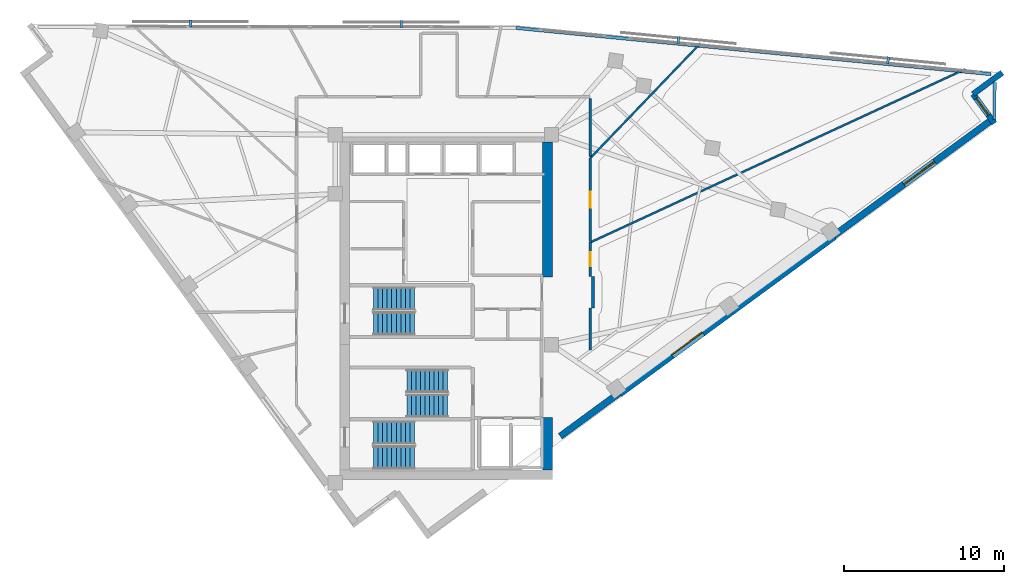
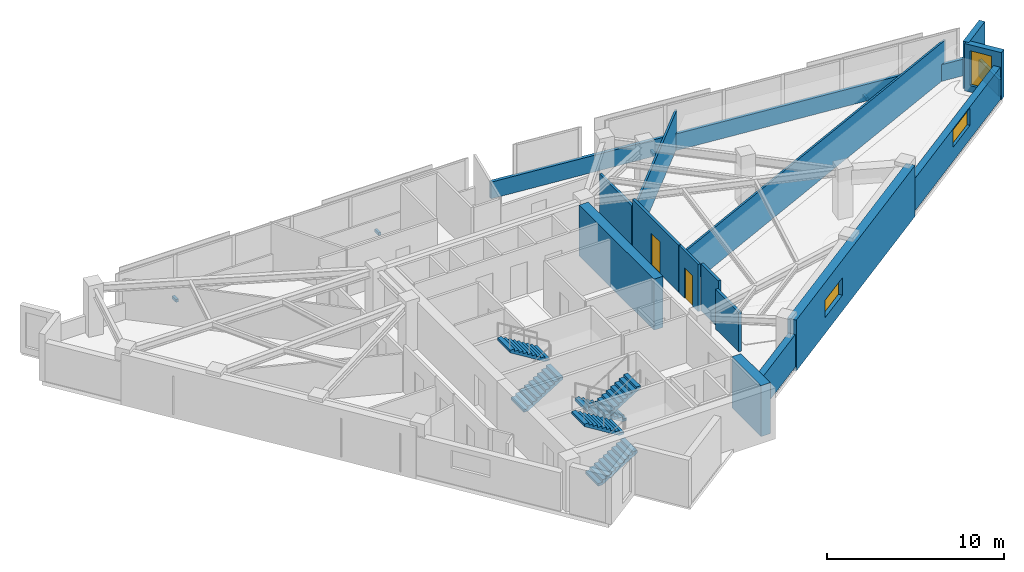
# One storey, part 11 of 13: 16 walls, 6 stair flights, 4 discrete accessories, 3 windows, 2 doors, 5 openings, 3 elements without a shape of their own.
"""IFC4 building model written with IfcOpenShell, lengths in metres."""

from ifc_helpers import new_model, si_unit, direction, frame, frame_2d, origin, origin_2d, place, context, subcontext, project, spatial, polyline, rectangle, outline, extrude, material, layer, layer_set, type_object, element, fill, aggregate, save


model = new_model("IFC4")

# Units and contexts
model_context = context("Model", 3, precision=1e-05, world=origin(), true_north=direction((0.0, 1.0)))
body_context = subcontext(model_context, "Body", "Model", "MODEL_VIEW")
ifc_project = project(units=[si_unit("LENGTHUNIT", "METRE"), si_unit("AREAUNIT", "SQUARE_METRE"), si_unit("VOLUMEUNIT", "CUBIC_METRE"), si_unit("PLANEANGLEUNIT", "RADIAN"), si_unit("MASSUNIT", "GRAM", prefix="KILO")], contexts=[model_context])

# Site, building, storey
site_placement = place(None, origin())
site = spatial("IfcSite", under=ifc_project, at=site_placement, CompositionType="ELEMENT")
building_placement = place(site_placement, origin())
building = spatial("IfcBuilding", under=site, at=building_placement, Name="Narakoshi Arena Tower", CompositionType="ELEMENT")
storey_placement = place(building_placement, frame((0.0, 0.0, 239.6201171875)))
storey = spatial("IfcBuildingStorey", under=building, at=storey_placement, Name="L65", CompositionType="ELEMENT", Elevation=239.6201171875)

# Walls
ifc_material_1 = material(Name="Concrete C50/60", Category="concrete")
ifc_layer_1 = layer(ifc_material_1, 0.60009765625)
ifc_layer_set_1 = layer_set([ifc_layer_1], Name="Concrete C50/60")
wall_type_1 = type_object("IfcWallType", Name="WL-CORE-600", PredefinedType="SHEAR", material=ifc_layer_set_1)
wall_1_placement = place(storey_placement, frame((85.300048828125, 35.5, -0.260009765625), z_axis=(0.0, 0.0, 1.0), x_axis=(0.0, 1.0, 0.0)))
element("IfcWall", 1, at=wall_1_placement, inside=storey, type_object=wall_type_1, Name="L65 Central Core Shear Wall CW-APX-E", PredefinedType="SHEAR", context=body_context, shape_type="SweptSolid", body=[
    extrude(rectangle(XDim=3.300048828125, YDim=0.60009765625, at=frame_2d((1.64990234375, 0.0))), origin(), (0.0, 0.0, 1.0), 3.519775390625),
])
wall_2_placement = place(storey_placement, frame((85.300048828125, 47.60009765625, -0.260009765625), z_axis=(0.0, 0.0, 1.0), x_axis=(0.0, 1.0, 0.0)))
element("IfcWall", 2, at=wall_2_placement, inside=storey, type_object=wall_type_1, Name="L65 Main Core Shear Wall CW-MN-E", PredefinedType="SHEAR", context=body_context, shape_type="SweptSolid", body=[
    extrude(rectangle(XDim=8.449951171875, YDim=0.60009765625, at=frame_2d((4.22509765625, 0.0))), origin(), (0.0, 0.0, 1.0), 3.519775390625),
])
ifc_material_2 = material(Name="Gypsum plasterboard fire-rated partition")
ifc_layer_2 = layer(ifc_material_2, 0.1650390625)
ifc_layer_set_2 = layer_set([ifc_layer_2], Name="Gypsum plasterboard fire-rated partition")
wall_type_2 = type_object("IfcWallType", Name="WL-CORR-165", PredefinedType="PARTITIONING", material=ifc_layer_set_2)
wall_3_placement = place(storey_placement, frame((87.97216796875, 43.02880859375, 0.0), z_axis=(0.0, 0.0, 1.0), x_axis=(0.0, 1.0, 0.0)))
element("IfcWall", 3, at=wall_3_placement, inside=storey, type_object=wall_type_2, Name="L65 Corridor Partition 03-1", PredefinedType="PARTITIONING", context=body_context, shape_type="SweptSolid", body=[
    extrude(rectangle(XDim=2.62109375, YDim=0.1650390625, at=frame_2d((1.310546875, 0.0))), origin(), (0.0, 0.0, 1.0), 2.744873046875),
])

# Wall, opening, door
wall_4_placement = place(storey_placement, frame((87.97216796875, 47.6201171875, 0.0), z_axis=(0.0, 0.0, 1.0), x_axis=(0.0, 1.0, 0.0)))
wall_4 = element("IfcWall", 4, at=wall_4_placement, inside=storey, type_object=wall_type_2, Name="L65 Corridor Partition 03-2", PredefinedType="PARTITIONING", context=body_context, shape_type="SweptSolid", body=[
    extrude(rectangle(XDim=2.165283203125, YDim=0.1650390625, at=frame_2d((1.08251953125, 0.0))), origin(), (0.0, 0.0, 1.0), 3.259765625),
])
opening_1_placement = place(wall_4_placement, frame((0.6328125, 0.0, 0.0)))
opening_1 = element("IfcOpeningElement", 5, at=opening_1_placement, cuts=wall_4, Name="Opening D-08", PredefinedType="OPENING", context=body_context, shape_type="SweptSolid", body=[
    extrude(rectangle(XDim=0.89990234375, YDim=2.10009765625, at=frame_2d((0.449951171875, 1.050048828125))), frame((0.0, 0.092529296875, 0.0), z_axis=(0.0, -1.0, 0.0), x_axis=(1.0, 0.0, 0.0)), (0.0, 0.0, 1.0), 0.18505859375),
])
ifc_material_3 = material(Name="Moisture-resistant laminate timber", Category="wood")
door_type_1 = type_object("IfcDoorType", Name="DR-WC-900", OperationType="NOTDEFINED", PredefinedType="DOOR", material=ifc_material_3)
door_1_placement = place(opening_1_placement, frame((0.89990234375, 0.0, 0.0), z_axis=(0.0, 0.0, 1.0), x_axis=(-1.0, 0.0, 0.0)))
door_1 = element("IfcDoor", 6, at=door_1_placement, inside=storey, type_object=door_type_1, Name="DR-L65-018", OperationType="SINGLE_SWING_LEFT", OverallHeight=2.10009765625, OverallWidth=0.89990234375, PredefinedType="DOOR", context=body_context, shape_type="SweptSolid", body=[
    extrude(rectangle(XDim=0.89990234375, YDim=2.10009765625, at=frame_2d((0.449951171875, 1.050048828125))), frame((0.0, 0.02490234375, 0.0), z_axis=(0.0, -1.0, 0.0), x_axis=(1.0, 0.0, 0.0)), (0.0, 0.0, 1.0), 0.050048828125),
])
fill(opening_1, door_1)

# Wall
wall_5_placement = place(storey_placement, frame((88.14990234375, 45.64990234375, 0.0), z_axis=(0.0, 0.0, 1.0), x_axis=(0.0, 1.0, 0.0)))
element("IfcWall", 7, at=wall_5_placement, inside=storey, type_object=wall_type_2, Name="L65 Corridor Partition 03-3", PredefinedType="PARTITIONING", context=body_context, shape_type="SweptSolid", body=[
    extrude(rectangle(XDim=1.97021484375, YDim=0.1650390625, at=frame_2d((0.985107421875, 0.0))), origin(), (0.0, 0.0, 1.0), 3.259765625),
])

# Wall, opening, door
wall_6_placement = place(storey_placement, frame((87.97216796875, 49.811767578125, 0.0), z_axis=(0.0, 0.0, 1.0), x_axis=(0.0, 1.0, 0.0)))
wall_6 = element("IfcWall", 8, at=wall_6_placement, inside=storey, type_object=wall_type_2, Name="L65 Corridor Partition 04-1", PredefinedType="PARTITIONING", context=body_context, shape_type="SweptSolid", body=[
    extrude(rectangle(XDim=5.243408203125, YDim=0.1650390625, at=frame_2d((2.62158203125, 0.0))), origin(), (0.0, 0.0, 1.0), 3.259765625),
])
opening_2_placement = place(wall_6_placement, frame((2.12158203125, 0.0, 0.0)))
opening_2 = element("IfcOpeningElement", 9, at=opening_2_placement, cuts=wall_6, Name="Opening D-06", PredefinedType="OPENING", context=body_context, shape_type="SweptSolid", body=[
    extrude(rectangle(XDim=1.0, YDim=2.199951171875, at=frame_2d((0.5, 1.10009765625))), frame((0.0, 0.092529296875, 0.0), z_axis=(0.0, -1.0, 0.0), x_axis=(1.0, 0.0, 0.0)), (0.0, 0.0, 1.0), 0.18505859375),
])
ifc_material_4 = material(Name="Stained oak solid-core timber", Category="wood")
door_type_2 = type_object("IfcDoorType", Name="DR-OFF-1000", OperationType="NOTDEFINED", PredefinedType="DOOR", material=ifc_material_4)
door_2_placement = place(opening_2_placement, frame((1.0, 0.0, 0.0), z_axis=(0.0, 0.0, 1.0), x_axis=(-1.0, 0.0, 0.0)))
door_2 = element("IfcDoor", 10, at=door_2_placement, inside=storey, type_object=door_type_2, Name="DR-L65-019", OperationType="SINGLE_SWING_RIGHT", OverallHeight=2.199951171875, OverallWidth=1.0, PredefinedType="DOOR", context=body_context, shape_type="SweptSolid", body=[
    extrude(rectangle(XDim=1.0, YDim=2.199951171875, at=frame_2d((0.5, 1.10009765625))), frame((0.0, 0.02490234375, 0.0), z_axis=(0.0, -1.0, 0.0), x_axis=(1.0, 0.0, 0.0)), (0.0, 0.0, 1.0), 0.050048828125),
])
fill(opening_2, door_2)

# Wall
wall_7_placement = place(storey_placement, frame((87.97216796875, 55.137451171875, 0.0), z_axis=(0.0, 0.0, 1.0), x_axis=(0.0, 1.0, 0.0)))
element("IfcWall", 11, at=wall_7_placement, inside=storey, type_object=wall_type_2, Name="L65 Corridor Partition 05-2", PredefinedType="PARTITIONING", context=body_context, shape_type="SweptSolid", body=[
    extrude(rectangle(XDim=3.64013671875, YDim=0.1650390625, at=frame_2d((1.820068359375, 0.0))), origin(), (0.0, 0.0, 1.0), 2.744873046875),
])

# Wall, opening, window
ifc_layer_3 = layer(ifc_material_1, 0.550048828125)
ifc_layer_set_3 = layer_set([ifc_layer_3], Name="Concrete C50/60")
wall_type_3 = type_object("IfcWallType", Name="WL-LEG-550", PredefinedType="SHEAR", material=ifc_layer_set_3)
wall_8_placement = place(storey_placement, frame((89.79052734375, 40.31640625, -0.260009765625), z_axis=(0.0, 0.0, 1.0), x_axis=(0.806449218078, 0.591303355868, 0.0)))
wall_8 = element("IfcWall", 12, at=wall_8_placement, inside=storey, type_object=wall_type_3, Name="L65 Architectural Concrete Structural Wall LEGA-3", PredefinedType="SHEAR", context=body_context, shape_type="SweptSolid", body=[
    extrude(rectangle(XDim=16.673095703125, YDim=0.550048828125, at=frame_2d((8.33642578125, 0.0))), origin(), (0.0, 0.0, 1.0), 3.519775390625),
])
opening_3_placement = place(wall_8_placement, frame((4.0537109375, 0.0, 1.10009765625)))
opening_3 = element("IfcOpeningElement", 13, at=opening_3_placement, cuts=wall_8, Name="Opening WN-04", PredefinedType="OPENING", context=body_context, shape_type="SweptSolid", body=[
    extrude(rectangle(XDim=2.39990234375, YDim=1.199951171875, at=frame_2d((1.199951171875, 0.60009765625))), frame((0.0, 0.284912109375, 0.0), z_axis=(0.0, -1.0, 0.0), x_axis=(1.0, 0.0, 0.0)), (0.0, 0.0, 1.0), 0.570068359375),
])
ifc_material_5 = material(Name="Bronze-tinted low-E laminated glass", Category="glass")
window_type_1 = type_object("IfcWindowType", Name="WIN-SLT-24x12", PartitioningType="SINGLE_PANEL", PredefinedType="WINDOW", material=ifc_material_5)
window_1_placement = place(opening_3_placement, origin())
window_1 = element("IfcWindow", 14, at=window_1_placement, inside=storey, type_object=window_type_1, Name="L65 LEGA3 Horizontal Slot Window 1", OverallHeight=1.199951171875, OverallWidth=2.39990234375, PartitioningType="SINGLE_PANEL", PredefinedType="WINDOW", context=body_context, shape_type="SweptSolid", body=[
    extrude(rectangle(XDim=2.39990234375, YDim=1.199951171875, at=frame_2d((1.199951171875, 0.60009765625))), frame((0.0, 0.030029296875, 0.0), z_axis=(0.0, -1.0, 0.0), x_axis=(1.0, 0.0, 0.0)), (0.0, 0.0, 1.0), 0.06005859375),
])
fill(opening_3, window_1)

# Walls
ifc_material_6 = material(Name="Precast concrete C45/55", Category="concrete")
ifc_layer_4 = layer(ifc_material_6, 0.25)
ifc_layer_set_4 = layer_set([ifc_layer_4], Name="Precast concrete C45/55")
wall_type_4 = type_object("IfcWallType", Name="WL-PARA-250", PredefinedType="PARAPET", material=ifc_layer_set_4)
wall_9_placement = place(storey_placement, frame((113.307861328125, 57.468017578125, 0.0), z_axis=(0.0, 0.0, 1.0), x_axis=(0.004415432147, 0.999990251932, 0.0)))
element("IfcWall", 15, at=wall_9_placement, inside=storey, type_object=wall_type_4, Name="L65 Architectural Setback Ledge Parapet", PredefinedType="PARAPET", context=body_context, shape_type="SweptSolid", body=[
    extrude(rectangle(XDim=2.322265625, YDim=0.199951171875, at=frame_2d((1.1611328125, 0.0))), origin(), (0.0, 0.0, 1.0), 1.14990234375),
])
wall_10_placement = place(storey_placement, frame((113.093505859375, 60.296630859375, 0.0), z_axis=(0.0, 0.0, 1.0), x_axis=(-0.995299069493, 0.096849172769, 0.0)))
element("IfcWall", 16, at=wall_10_placement, inside=storey, type_object=wall_type_4, Name="L65 Hypotenuse Sill Upstand Parapet 1-01", PredefinedType="PARAPET", context=body_context, shape_type="SweptSolid", body=[
    extrude(rectangle(XDim=29.917236328125, YDim=0.199951171875, at=frame_2d((14.95849609375, 0.0))), origin(), (0.0, 0.0, 1.0), 1.14990234375),
])
ifc_layer_5 = layer(ifc_material_2, 0.125)
ifc_layer_set_5 = layer_set([ifc_layer_5], Name="Gypsum plasterboard fire-rated partition")
wall_type_5 = type_object("IfcWallType", Name="WL-PART-125", PredefinedType="PARTITIONING", material=ifc_layer_set_5)
wall_11_placement = place(storey_placement, frame((88.044921875, 49.785400390625, 0.0), z_axis=(0.0, 0.0, 1.0), x_axis=(0.907758876108, 0.419492339438, 0.0)))
element("IfcWall", 17, at=wall_11_placement, inside=storey, type_object=wall_type_5, Name="L65 Inter-Room Partition 03-04", PredefinedType="PARTITIONING", context=body_context, shape_type="SweptSolid", body=[
    extrude(rectangle(XDim=25.814697265625, YDim=0.125, at=frame_2d((12.9072265625, 0.0))), origin(), (0.0, 0.0, 1.0), 2.644775390625),
])
wall_12_placement = place(storey_placement, frame((87.99658203125, 55.05517578125, 0.0), z_axis=(0.0, 0.0, 1.0), x_axis=(0.692409668249, 0.721504574702, 0.0)))
element("IfcWall", 18, at=wall_12_placement, inside=storey, type_object=wall_type_5, Name="L65 Inter-Room Partition 04-05", PredefinedType="PARTITIONING", context=body_context, shape_type="SweptSolid", body=[
    extrude(rectangle(XDim=9.943603515625, YDim=0.125, at=frame_2d((4.9716796875, 0.0))), origin(), (0.0, 0.0, 1.0), 2.644775390625),
])
ifc_layer_6 = layer(ifc_material_6, 0.419921875)
ifc_layer_set_6 = layer_set([ifc_layer_6], Name="Precast concrete C45/55")
wall_type_6 = type_object("IfcWallType", Name="WL-POD-420", PredefinedType="SOLIDWALL", material=ifc_layer_set_6)
wall_13_placement = place(storey_placement, frame((86.10009765625, 37.6103515625, 0.0), z_axis=(0.0, 0.0, 1.0), x_axis=(0.806432132361, 0.591326657521, 0.0)))
element("IfcWall", 19, at=wall_13_placement, inside=storey, type_object=wall_type_6, Name="L65 Architectural Concrete Facade Wall LEGA-2", PredefinedType="SOLIDWALL", context=body_context, shape_type="SweptSolid", body=[
    extrude(rectangle(XDim=4.576171875, YDim=0.419921875, at=frame_2d((2.2880859375, 0.0))), origin(), (0.0, 0.0, 1.0), 2.244873046875),
])

# Wall, opening, window
wall_14_placement = place(storey_placement, frame((103.236572265625, 50.17529296875, 0.0), z_axis=(0.0, 0.0, 1.0), x_axis=(0.80643721533, 0.591319725471, 0.0)))
wall_14 = element("IfcWall", 20, at=wall_14_placement, inside=storey, type_object=wall_type_6, Name="L65 Architectural Concrete Facade Wall LEGA-4", PredefinedType="SOLIDWALL", context=body_context, shape_type="SweptSolid", body=[
    extrude(rectangle(XDim=12.285400390625, YDim=0.419921875, at=frame_2d((6.142578125, 0.0))), origin(), (0.0, 0.0, 1.0), 2.244873046875),
])
opening_4_placement = place(wall_14_placement, frame((5.443359375, 0.0, 0.965087890625)))
opening_4 = element("IfcOpeningElement", 21, at=opening_4_placement, cuts=wall_14, Name="Opening WN-04", PredefinedType="OPENING", context=body_context, shape_type="SweptSolid", body=[
    extrude(rectangle(XDim=2.39990234375, YDim=1.199951171875, at=frame_2d((1.199951171875, 0.60009765625))), frame((0.0, 0.219970703125, 0.0), z_axis=(0.0, -1.0, 0.0), x_axis=(1.0, 0.0, 0.0)), (0.0, 0.0, 1.0), 0.43994140625),
])
window_2_placement = place(opening_4_placement, origin())
window_2 = element("IfcWindow", 22, at=window_2_placement, inside=storey, type_object=window_type_1, Name="L65 LEGA4 Horizontal Slot Window 1", OverallHeight=1.199951171875, OverallWidth=2.39990234375, PartitioningType="SINGLE_PANEL", PredefinedType="WINDOW", context=body_context, shape_type="SweptSolid", body=[
    extrude(rectangle(XDim=2.39990234375, YDim=1.199951171875, at=frame_2d((1.199951171875, 0.60009765625))), frame((0.0, 0.030029296875, 0.0), z_axis=(0.0, -1.0, 0.0), x_axis=(1.0, 0.0, 0.0)), (0.0, 0.0, 1.0), 0.06005859375),
])
fill(opening_4, window_2)

wall_15_placement = place(storey_placement, frame((113.306640625, 57.218017578125, 0.0), z_axis=(0.0, 0.0, 1.0), x_axis=(-0.591251685745, 0.806487101015, 0.0)))
wall_15 = element("IfcWall", 23, at=wall_15_placement, inside=storey, type_object=wall_type_6, Name="L65 Re-Entrant Corner Notch Wall NTE-1", PredefinedType="SOLIDWALL", context=body_context, shape_type="SweptSolid", body=[
    extrude(rectangle(XDim=2.2685546875, YDim=0.360107421875, at=frame_2d((1.13427734375, 0.0))), origin(), (0.0, 0.0, 1.0), 3.259765625),
])
opening_5_placement = place(wall_15_placement, frame((0.628662109375, 0.0, 0.449951171875)))
opening_5 = element("IfcOpeningElement", 24, at=opening_5_placement, cuts=wall_15, Name="Opening WN-06", PredefinedType="OPENING", context=body_context, shape_type="SweptSolid", body=[
    extrude(rectangle(XDim=1.300048828125, YDim=2.39990234375, at=frame_2d((0.64990234375, 1.199951171875))), frame((0.0, 0.18994140625, 0.0), z_axis=(0.0, -1.0, 0.0), x_axis=(1.0, 0.0, 0.0)), (0.0, 0.0, 1.0), 0.380126953125),
])
window_type_2 = type_object("IfcWindowType", Name="WIN-NTC-16x24", PartitioningType="SINGLE_PANEL", PredefinedType="WINDOW", material=ifc_material_5)
window_3_placement = place(opening_5_placement, origin())
window_3 = element("IfcWindow", 25, at=window_3_placement, inside=storey, type_object=window_type_2, Name="L65 Corner Notch Window NTE", OverallHeight=2.39990234375, OverallWidth=1.300048828125, PartitioningType="SINGLE_PANEL", PredefinedType="WINDOW", context=body_context, shape_type="SweptSolid", body=[
    extrude(rectangle(XDim=1.300048828125, YDim=2.39990234375, at=frame_2d((0.64990234375, 1.199951171875))), frame((0.0, 0.030029296875, 0.0), z_axis=(0.0, -1.0, 0.0), x_axis=(1.0, 0.0, 0.0)), (0.0, 0.0, 1.0), 0.06005859375),
])
fill(opening_5, window_3)

# Wall
wall_16_placement = place(storey_placement, frame((111.96533203125, 59.047607421875, 0.0), z_axis=(0.0, 0.0, 1.0), x_axis=(0.806435785153, 0.59132167593, 0.0)))
element("IfcWall", 26, at=wall_16_placement, inside=storey, type_object=wall_type_6, Name="L65 Re-Entrant Corner Notch Wall NTE-2", PredefinedType="SOLIDWALL", context=body_context, shape_type="SweptSolid", body=[
    extrude(rectangle(XDim=2.268798828125, YDim=0.360107421875, at=frame_2d((1.13427734375, 0.0))), origin(), (0.0, 0.0, 1.0), 3.259765625),
])

# Stair, stair flights
ifc_material_7 = material(Name="Concrete C45/55", Category="concrete")
stair_type = type_object("IfcStairType", Name="STR-CORE-352", PredefinedType="TWO_STRAIGHT_RUN_STAIR", material=ifc_material_7)
stair_1_placement = place(storey_placement, origin())
stair_1 = element("IfcStair", 27, at=stair_1_placement, inside=storey, type_object=stair_type, Name="L65 Core Escape Stair ST1", PredefinedType="TWO_STRAIGHT_RUN_STAIR")
stair_flight_type = type_object("IfcStairFlightType", Name="FLT-145-160", PredefinedType="STRAIGHT", material=ifc_material_6)
stair_flight_1_placement = place(storey_placement, frame((74.39990234375, 36.27490234375, 0.0), z_axis=(0.0, 0.0, 1.0), x_axis=(1.0, 0.0, 0.0)))
stair_flight_1 = element("IfcStairFlight", 28, at=stair_flight_1_placement, type_object=stair_flight_type, Name="ST1 flight 1", NumberOfRisers=10, NumberOfTreads=9, PredefinedType="STRAIGHT", RiserHeight=0.176, TreadLength=0.285, context=body_context, shape_type="SweptSolid", body=[
    extrude(outline(polyline([(0.0, 0.0), (0.0, 0.176025390625), (0.284912109375, 0.176025390625), (0.284912109375, 0.35205078125), (0.570068359375, 0.35205078125), (0.570068359375, 0.528076171875), (0.85498046875, 0.528076171875), (0.85498046875, 0.7041015625), (1.139892578125, 0.7041015625), (1.139892578125, 0.8798828125), (1.425048828125, 0.8798828125), (1.425048828125, 1.055908203125), (1.7099609375, 1.055908203125), (1.7099609375, 1.23193359375), (1.9951171875, 1.23193359375), (1.9951171875, 1.407958984375), (2.280029296875, 1.407958984375), (2.280029296875, 1.583984375), (2.56494140625, 1.583984375), (2.56494140625, 1.760009765625), (2.56494140625, 1.40771484375), (0.285400390625, 0.0), (0.0, 0.0)])), frame((0.0, 0.72509765625, 0.0), z_axis=(0.0, -1.0, 0.0), x_axis=(1.0, 0.0, 0.0)), (0.0, 0.0, 1.0), 1.449951171875),
])
stair_flight_2_placement = place(storey_placement, frame((76.965087890625, 37.824951171875, 1.759765625), z_axis=(0.0, 0.0, 1.0), x_axis=(-1.0, 0.0, 0.0)))
stair_flight_2 = element("IfcStairFlight", 29, at=stair_flight_2_placement, type_object=stair_flight_type, Name="ST1 flight 2", NumberOfRisers=10, NumberOfTreads=9, PredefinedType="STRAIGHT", RiserHeight=0.176, TreadLength=0.285, context=body_context, shape_type="SweptSolid", body=[
    extrude(outline(polyline([(0.0, 0.0), (0.0, 0.176025390625), (0.284912109375, 0.176025390625), (0.284912109375, 0.35205078125), (0.570068359375, 0.35205078125), (0.570068359375, 0.528076171875), (0.85498046875, 0.528076171875), (0.85498046875, 0.7041015625), (1.139892578125, 0.7041015625), (1.139892578125, 0.8798828125), (1.425048828125, 0.8798828125), (1.425048828125, 1.055908203125), (1.7099609375, 1.055908203125), (1.7099609375, 1.23193359375), (1.9951171875, 1.23193359375), (1.9951171875, 1.407958984375), (2.280029296875, 1.407958984375), (2.280029296875, 1.583984375), (2.56494140625, 1.583984375), (2.56494140625, 1.760009765625), (2.56494140625, 1.40771484375), (0.285400390625, 0.0), (0.0, 0.0)])), frame((0.0, 0.72509765625, 0.0), z_axis=(0.0, -1.0, 0.0), x_axis=(1.0, 0.0, 0.0)), (0.0, 0.0, 1.0), 1.449951171875),
])
aggregate(stair_1, [stair_flight_1, stair_flight_2])

stair_2_placement = place(storey_placement, origin())
stair_2 = element("IfcStair", 30, at=stair_2_placement, inside=storey, type_object=stair_type, Name="L65 Core Escape Stair ST2", PredefinedType="TWO_STRAIGHT_RUN_STAIR")
stair_flight_3_placement = place(storey_placement, frame((79.050048828125, 41.074951171875, 0.0), z_axis=(0.0, 0.0, 1.0), x_axis=(-1.0, 0.0, 0.0)))
stair_flight_3 = element("IfcStairFlight", 31, at=stair_flight_3_placement, type_object=stair_flight_type, Name="ST2 flight 1", NumberOfRisers=10, NumberOfTreads=9, PredefinedType="STRAIGHT", RiserHeight=0.176, TreadLength=0.285, context=body_context, shape_type="SweptSolid", body=[
    extrude(outline(polyline([(0.0, 0.0), (0.0, 0.176025390625), (0.284912109375, 0.176025390625), (0.284912109375, 0.35205078125), (0.570068359375, 0.35205078125), (0.570068359375, 0.528076171875), (0.85498046875, 0.528076171875), (0.85498046875, 0.7041015625), (1.139892578125, 0.7041015625), (1.139892578125, 0.8798828125), (1.425048828125, 0.8798828125), (1.425048828125, 1.055908203125), (1.7099609375, 1.055908203125), (1.7099609375, 1.23193359375), (1.9951171875, 1.23193359375), (1.9951171875, 1.407958984375), (2.280029296875, 1.407958984375), (2.280029296875, 1.583984375), (2.56494140625, 1.583984375), (2.56494140625, 1.760009765625), (2.56494140625, 1.40771484375), (0.285400390625, 0.0), (0.0, 0.0)])), frame((0.0, 0.72509765625, 0.0), z_axis=(0.0, -1.0, 0.0), x_axis=(1.0, 0.0, 0.0)), (0.0, 0.0, 1.0), 1.449951171875),
])
stair_flight_4_placement = place(storey_placement, frame((76.485107421875, 39.52490234375, 1.759765625), z_axis=(0.0, 0.0, 1.0), x_axis=(1.0, 0.0, 0.0)))
stair_flight_4 = element("IfcStairFlight", 32, at=stair_flight_4_placement, type_object=stair_flight_type, Name="ST2 flight 2", NumberOfRisers=10, NumberOfTreads=9, PredefinedType="STRAIGHT", RiserHeight=0.176, TreadLength=0.285, context=body_context, shape_type="SweptSolid", body=[
    extrude(outline(polyline([(0.0, 0.0), (0.0, 0.176025390625), (0.284912109375, 0.176025390625), (0.284912109375, 0.35205078125), (0.570068359375, 0.35205078125), (0.570068359375, 0.528076171875), (0.85498046875, 0.528076171875), (0.85498046875, 0.7041015625), (1.139892578125, 0.7041015625), (1.139892578125, 0.8798828125), (1.425048828125, 0.8798828125), (1.425048828125, 1.055908203125), (1.7099609375, 1.055908203125), (1.7099609375, 1.23193359375), (1.9951171875, 1.23193359375), (1.9951171875, 1.407958984375), (2.280029296875, 1.407958984375), (2.280029296875, 1.583984375), (2.56494140625, 1.583984375), (2.56494140625, 1.760009765625), (2.56494140625, 1.40771484375), (0.285400390625, 0.0), (0.0, 0.0)])), frame((0.0, 0.72509765625, 0.0), z_axis=(0.0, -1.0, 0.0), x_axis=(1.0, 0.0, 0.0)), (0.0, 0.0, 1.0), 1.449951171875),
])
aggregate(stair_2, [stair_flight_3, stair_flight_4])

stair_3_placement = place(storey_placement, origin())
stair_3 = element("IfcStair", 33, at=stair_3_placement, inside=storey, type_object=stair_type, Name="L65 Core Escape Stair ST3", PredefinedType="TWO_STRAIGHT_RUN_STAIR")
stair_flight_5_placement = place(storey_placement, frame((74.39990234375, 44.675048828125, 0.0), z_axis=(0.0, 0.0, 1.0), x_axis=(1.0, 0.0, 0.0)))
stair_flight_5 = element("IfcStairFlight", 34, at=stair_flight_5_placement, type_object=stair_flight_type, Name="ST3 flight 1", NumberOfRisers=10, NumberOfTreads=9, PredefinedType="STRAIGHT", RiserHeight=0.176, TreadLength=0.285, context=body_context, shape_type="SweptSolid", body=[
    extrude(outline(polyline([(0.0, 0.0), (0.0, 0.176025390625), (0.284912109375, 0.176025390625), (0.284912109375, 0.35205078125), (0.570068359375, 0.35205078125), (0.570068359375, 0.528076171875), (0.85498046875, 0.528076171875), (0.85498046875, 0.7041015625), (1.139892578125, 0.7041015625), (1.139892578125, 0.8798828125), (1.425048828125, 0.8798828125), (1.425048828125, 1.055908203125), (1.7099609375, 1.055908203125), (1.7099609375, 1.23193359375), (1.9951171875, 1.23193359375), (1.9951171875, 1.407958984375), (2.280029296875, 1.407958984375), (2.280029296875, 1.583984375), (2.56494140625, 1.583984375), (2.56494140625, 1.760009765625), (2.56494140625, 1.40771484375), (0.285400390625, 0.0), (0.0, 0.0)])), frame((0.0, 0.72509765625, 0.0), z_axis=(0.0, -1.0, 0.0), x_axis=(1.0, 0.0, 0.0)), (0.0, 0.0, 1.0), 1.449951171875),
])
stair_flight_6_placement = place(storey_placement, frame((76.965087890625, 46.22509765625, 1.759765625), z_axis=(0.0, 0.0, 1.0), x_axis=(-1.0, 0.0, 0.0)))
stair_flight_6 = element("IfcStairFlight", 35, at=stair_flight_6_placement, type_object=stair_flight_type, Name="ST3 flight 2", NumberOfRisers=10, NumberOfTreads=9, PredefinedType="STRAIGHT", RiserHeight=0.176, TreadLength=0.285, context=body_context, shape_type="SweptSolid", body=[
    extrude(outline(polyline([(0.0, 0.0), (0.0, 0.176025390625), (0.284912109375, 0.176025390625), (0.284912109375, 0.35205078125), (0.570068359375, 0.35205078125), (0.570068359375, 0.528076171875), (0.85498046875, 0.528076171875), (0.85498046875, 0.7041015625), (1.139892578125, 0.7041015625), (1.139892578125, 0.8798828125), (1.425048828125, 0.8798828125), (1.425048828125, 1.055908203125), (1.7099609375, 1.055908203125), (1.7099609375, 1.23193359375), (1.9951171875, 1.23193359375), (1.9951171875, 1.407958984375), (2.280029296875, 1.407958984375), (2.280029296875, 1.583984375), (2.56494140625, 1.583984375), (2.56494140625, 1.760009765625), (2.56494140625, 1.40771484375), (0.285400390625, 0.0), (0.0, 0.0)])), frame((0.0, 0.72509765625, 0.0), z_axis=(0.0, -1.0, 0.0), x_axis=(1.0, 0.0, 0.0)), (0.0, 0.0, 1.0), 1.449951171875),
])
aggregate(stair_3, [stair_flight_5, stair_flight_6])

# Discrete accessories
ifc_material_8 = material(Name="Structural steel S355J2", Category="steel")
discrete_accessory_type = type_object("IfcDiscreteAccessoryType", Name="ACC-BRK-SCR", PredefinedType="BRACKET", material=ifc_material_8)
for number, where, z_axis, x_axis, name in (
    (36, (106.636474609375, 61.166015625, -0.080078125), (0.0, 0.0, 1.0), (-0.995298664587, 0.096853333819, 0.0), "L65 Solar Screen Support Bracket SHD-L65-SCR1-1"),
    (37, (93.498291015625, 62.444580078125, -0.080078125), (0.0, 0.0, 1.0), (-0.995298664587, 0.096853333819, 0.0), "L65 Solar Screen Support Bracket SHD-L65-SCR1-2"),
    (38, (76.1328125, 63.4462890625, -0.080078125), (0.0, 0.0, 1.0), (-0.999998352629, 0.001815141425, 0.0), "L65 Solar Screen Support Bracket SHD-L65-SCR2-1"),
    (39, (62.9326171875, 63.470458984375, -0.080078125), (0.0, 0.0, 1.0), (-0.999998352629, 0.001815141425, 0.0), "L65 Solar Screen Support Bracket SHD-L65-SCR2-2"),
):
    element("IfcDiscreteAccessory", number, at=place(storey_placement, frame(where, z_axis=z_axis, x_axis=x_axis)), inside=storey, type_object=discrete_accessory_type, Name=name, PredefinedType="BRACKET", context=body_context, shape_type="SweptSolid", body=[
        extrude(rectangle(XDim=0.159912109375, YDim=0.43994140625, at=origin_2d()), origin(), (0.0, 0.0, 1.0), 0.199951171875),
    ])

save(model, "model.ifc")
